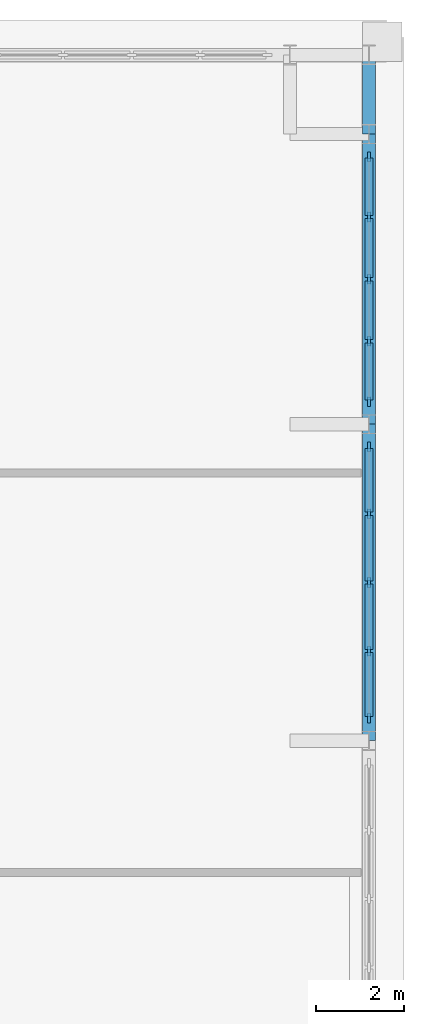
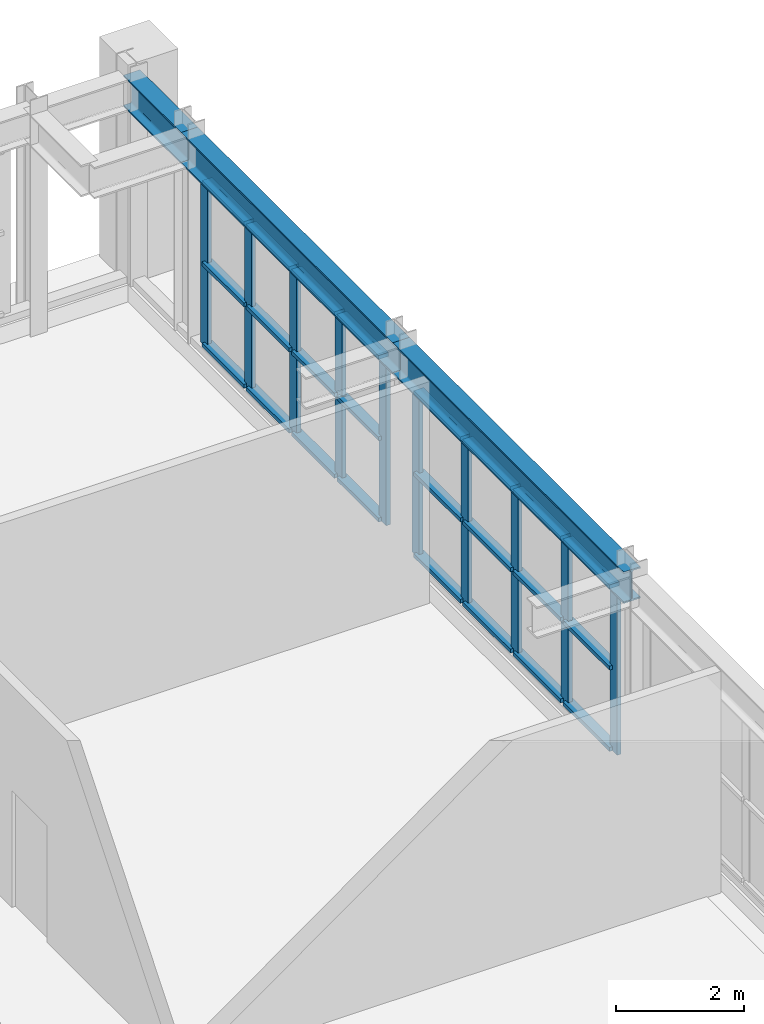
# One storey, part 7 of 18: 34 members, 3 beams, 2 elements without a shape of their own.
"""IFC4 building model written with IfcOpenShell, lengths in metres."""

from ifc_helpers import new_model, si_unit, direction, frame, origin, origin_2d, place, context, subcontext, project, spatial, rectangle, i_section, extrude, material, material_profile, profile_set, type_object, element, aggregate, save


model = new_model("IFC4")

# Units and contexts
model_context = context("Model", 3, precision=1e-05, world=origin(), true_north=direction((0.0, 1.0)))
body_context = subcontext(model_context, "Body", "Model", "MODEL_VIEW")
ifc_project = project(units=[si_unit("LENGTHUNIT", "METRE"), si_unit("AREAUNIT", "SQUARE_METRE"), si_unit("VOLUMEUNIT", "CUBIC_METRE"), si_unit("PLANEANGLEUNIT", "RADIAN"), si_unit("MASSUNIT", "GRAM", prefix="KILO")], contexts=[model_context])

# Site, building, storey
site_placement = place(None, origin())
site = spatial("IfcSite", under=ifc_project, at=site_placement, CompositionType="ELEMENT")
building_placement = place(site_placement, origin())
building = spatial("IfcBuilding", under=site, at=building_placement, Name="Mithqara Police Headquarters", CompositionType="ELEMENT")
storey_placement = place(building_placement, frame((0.0, 0.0, 26.39990234375)))
storey = spatial("IfcBuildingStorey", under=building, at=storey_placement, Name="L06", CompositionType="ELEMENT", Elevation=26.39990234375)

# Curtain wall, members
ifc_material_1 = material(Name="Bronze anodised aluminium 6063-T6", Category="aluminium")
curtain_wall_type_1 = type_object("IfcCurtainWallType", Name="CURTAIN WALL 6250X3170", PredefinedType="USERDEFINED", material=ifc_material_1)
curtain_wall_1_placement = place(storey_placement, origin())
curtain_wall_1 = element("IfcCurtainWall", 1, at=curtain_wall_1_placement, inside=storey, type_object=curtain_wall_type_1, Name="L06 Unitised Glazing CW-04 (CW-CUBE-L06-P0-E02-S0-03)", ObjectType="UNITISED GLAZING", PredefinedType="USERDEFINED")
ifc_material_profile_1 = material_profile(ifc_material_1, rectangle(XDim=0.074951171875, YDim=0.219970703125, at=origin_2d()), Name="CWM 75x220")
ifc_profile_set_1 = profile_set([ifc_material_profile_1], Name="Bronze anodised aluminium 6063-T6")
member_type_1 = type_object("IfcMemberType", Name="CWMULLION 75X220", PredefinedType="MULLION", material=ifc_profile_set_1)
member_1_placement = place(storey_placement, frame((168.0, 100.71240234375, 0.4501953125), z_axis=(0.0, 0.0, 1.0), x_axis=(-1.0, 0.0, 0.0)))
member_1 = element("IfcMember", 2, at=member_1_placement, type_object=member_type_1, Name="CW-04 mullion 1", PredefinedType="MULLION", context=body_context, shape_type="SweptSolid", body=[
    extrude(rectangle(XDim=0.074951171875, YDim=0.219970703125, at=origin_2d()), origin(), (0.0, 0.0, 1.0), 3.169921875),
])
member_2_placement = place(storey_placement, frame((168.0, 102.237548828125, 0.4501953125), z_axis=(0.0, 0.0, 1.0), x_axis=(-1.0, 0.0, 0.0)))
member_2 = element("IfcMember", 3, at=member_2_placement, type_object=member_type_1, Name="CW-04 mullion 2", PredefinedType="MULLION", context=body_context, shape_type="SweptSolid", body=[
    extrude(rectangle(XDim=0.074951171875, YDim=0.219970703125, at=origin_2d()), origin(), (0.0, 0.0, 1.0), 3.169921875),
])
member_3_placement = place(storey_placement, frame((168.0, 103.800048828125, 0.4501953125), z_axis=(0.0, 0.0, 1.0), x_axis=(-1.0, 0.0, 0.0)))
member_3 = element("IfcMember", 4, at=member_3_placement, type_object=member_type_1, Name="CW-04 mullion 3", PredefinedType="MULLION", context=body_context, shape_type="SweptSolid", body=[
    extrude(rectangle(XDim=0.074951171875, YDim=0.219970703125, at=origin_2d()), origin(), (0.0, 0.0, 1.0), 3.169921875),
])
member_4_placement = place(storey_placement, frame((168.0, 105.362548828125, 0.4501953125), z_axis=(0.0, 0.0, 1.0), x_axis=(-1.0, 0.0, 0.0)))
member_4 = element("IfcMember", 5, at=member_4_placement, type_object=member_type_1, Name="CW-04 mullion 4", PredefinedType="MULLION", context=body_context, shape_type="SweptSolid", body=[
    extrude(rectangle(XDim=0.074951171875, YDim=0.219970703125, at=origin_2d()), origin(), (0.0, 0.0, 1.0), 3.169921875),
])
member_5_placement = place(storey_placement, frame((168.0, 106.887451171875, 0.4501953125), z_axis=(0.0, 0.0, 1.0), x_axis=(-1.0, 0.0, 0.0)))
member_5 = element("IfcMember", 6, at=member_5_placement, type_object=member_type_1, Name="CW-04 mullion 5", PredefinedType="MULLION", context=body_context, shape_type="SweptSolid", body=[
    extrude(rectangle(XDim=0.074951171875, YDim=0.219970703125, at=origin_2d()), origin(), (0.0, 0.0, 1.0), 3.169921875),
])

curtain_wall_type_2 = type_object("IfcCurtainWallType", Name="CURTAIN WALL 5650X3170", PredefinedType="USERDEFINED", material=ifc_material_1)
curtain_wall_2_placement = place(storey_placement, origin())
curtain_wall_2 = element("IfcCurtainWall", 7, at=curtain_wall_2_placement, inside=storey, type_object=curtain_wall_type_2, Name="L06 Unitised Glazing CW-05 (CW-CUBE-L06-P0-E02-S0-04)", ObjectType="UNITISED GLAZING", PredefinedType="USERDEFINED")
member_6_placement = place(storey_placement, frame((168.0, 107.91259765625, 0.4501953125), z_axis=(0.0, 0.0, 1.0), x_axis=(-1.0, 0.0, 0.0)))
member_6 = element("IfcMember", 8, at=member_6_placement, type_object=member_type_1, Name="CW-05 mullion 1", PredefinedType="MULLION", context=body_context, shape_type="SweptSolid", body=[
    extrude(rectangle(XDim=0.074951171875, YDim=0.219970703125, at=origin_2d()), origin(), (0.0, 0.0, 1.0), 3.169921875),
])
member_7_placement = place(storey_placement, frame((168.0, 109.28759765625, 0.4501953125), z_axis=(0.0, 0.0, 1.0), x_axis=(-1.0, 0.0, 0.0)))
member_7 = element("IfcMember", 9, at=member_7_placement, type_object=member_type_1, Name="CW-05 mullion 2", PredefinedType="MULLION", context=body_context, shape_type="SweptSolid", body=[
    extrude(rectangle(XDim=0.074951171875, YDim=0.219970703125, at=origin_2d()), origin(), (0.0, 0.0, 1.0), 3.169921875),
])
member_8_placement = place(storey_placement, frame((168.0, 110.699951171875, 0.4501953125), z_axis=(0.0, 0.0, 1.0), x_axis=(-1.0, 0.0, 0.0)))
member_8 = element("IfcMember", 10, at=member_8_placement, type_object=member_type_1, Name="CW-05 mullion 3", PredefinedType="MULLION", context=body_context, shape_type="SweptSolid", body=[
    extrude(rectangle(XDim=0.074951171875, YDim=0.219970703125, at=origin_2d()), origin(), (0.0, 0.0, 1.0), 3.169921875),
])
member_9_placement = place(storey_placement, frame((168.0, 112.112548828125, 0.4501953125), z_axis=(0.0, 0.0, 1.0), x_axis=(-1.0, 0.0, 0.0)))
member_9 = element("IfcMember", 11, at=member_9_placement, type_object=member_type_1, Name="CW-05 mullion 4", PredefinedType="MULLION", context=body_context, shape_type="SweptSolid", body=[
    extrude(rectangle(XDim=0.074951171875, YDim=0.219970703125, at=origin_2d()), origin(), (0.0, 0.0, 1.0), 3.169921875),
])
member_10_placement = place(storey_placement, frame((168.0, 113.487548828125, 0.4501953125), z_axis=(0.0, 0.0, 1.0), x_axis=(-1.0, 0.0, 0.0)))
member_10 = element("IfcMember", 12, at=member_10_placement, type_object=member_type_1, Name="CW-05 mullion 5", PredefinedType="MULLION", context=body_context, shape_type="SweptSolid", body=[
    extrude(rectangle(XDim=0.074951171875, YDim=0.219970703125, at=origin_2d()), origin(), (0.0, 0.0, 1.0), 3.169921875),
])

# Member
ifc_material_profile_2 = material_profile(ifc_material_1, rectangle(XDim=0.179931640625, YDim=0.074951171875, at=origin_2d()), Name="CWT 180x75")
ifc_profile_set_2 = profile_set([ifc_material_profile_2], Name="Bronze anodised aluminium 6063-T6")
member_type_2 = type_object("IfcMemberType", Name="CWTRANSOM 180X75", PredefinedType="USERDEFINED", material=ifc_profile_set_2)
member_11_placement = place(storey_placement, frame((168.0, 100.75, 0.487548828125), z_axis=(0.0, 1.0, 0.0), x_axis=(-1.0, 0.0, 0.0)))
member_11 = element("IfcMember", 13, at=member_11_placement, type_object=member_type_2, Name="CW-04 transom 1.1", ObjectType="TRANSOM", PredefinedType="USERDEFINED", context=body_context, shape_type="SweptSolid", body=[
    extrude(rectangle(XDim=0.179931640625, YDim=0.074951171875, at=origin_2d()), origin(), (0.0, 0.0, 1.0), 1.449951171875),
])

member_12_placement = place(storey_placement, frame((168.0, 100.75, 2.03515625), z_axis=(0.0, 1.0, 0.0), x_axis=(-1.0, 0.0, 0.0)))
member_12 = element("IfcMember", 14, at=member_12_placement, type_object=member_type_2, Name="CW-04 transom 1.2", ObjectType="TRANSOM", PredefinedType="USERDEFINED", context=body_context, shape_type="SweptSolid", body=[
    extrude(rectangle(XDim=0.179931640625, YDim=0.074951171875, at=origin_2d()), origin(), (0.0, 0.0, 1.0), 1.449951171875),
])

member_13_placement = place(storey_placement, frame((168.0, 100.75, 3.58251953125), z_axis=(0.0, 1.0, 0.0), x_axis=(-1.0, 0.0, 0.0)))
member_13 = element("IfcMember", 15, at=member_13_placement, type_object=member_type_2, Name="CW-04 transom 1.3", ObjectType="TRANSOM", PredefinedType="USERDEFINED", context=body_context, shape_type="SweptSolid", body=[
    extrude(rectangle(XDim=0.179931640625, YDim=0.074951171875, at=origin_2d()), origin(), (0.0, 0.0, 1.0), 1.449951171875),
])

member_14_placement = place(storey_placement, frame((168.0, 102.27490234375, 0.487548828125), z_axis=(0.0, 1.0, 0.0), x_axis=(-1.0, 0.0, 0.0)))
member_14 = element("IfcMember", 16, at=member_14_placement, type_object=member_type_2, Name="CW-04 transom 2.1", ObjectType="TRANSOM", PredefinedType="USERDEFINED", context=body_context, shape_type="SweptSolid", body=[
    extrude(rectangle(XDim=0.179931640625, YDim=0.074951171875, at=origin_2d()), origin(), (0.0, 0.0, 1.0), 1.487548828125),
])

member_15_placement = place(storey_placement, frame((168.0, 102.27490234375, 2.03515625), z_axis=(0.0, 1.0, 0.0), x_axis=(-1.0, 0.0, 0.0)))
member_15 = element("IfcMember", 17, at=member_15_placement, type_object=member_type_2, Name="CW-04 transom 2.2", ObjectType="TRANSOM", PredefinedType="USERDEFINED", context=body_context, shape_type="SweptSolid", body=[
    extrude(rectangle(XDim=0.179931640625, YDim=0.074951171875, at=origin_2d()), origin(), (0.0, 0.0, 1.0), 1.487548828125),
])

member_16_placement = place(storey_placement, frame((168.0, 102.27490234375, 3.58251953125), z_axis=(0.0, 1.0, 0.0), x_axis=(-1.0, 0.0, 0.0)))
member_16 = element("IfcMember", 18, at=member_16_placement, type_object=member_type_2, Name="CW-04 transom 2.3", ObjectType="TRANSOM", PredefinedType="USERDEFINED", context=body_context, shape_type="SweptSolid", body=[
    extrude(rectangle(XDim=0.179931640625, YDim=0.074951171875, at=origin_2d()), origin(), (0.0, 0.0, 1.0), 1.487548828125),
])

member_17_placement = place(storey_placement, frame((168.0, 103.83740234375, 0.487548828125), z_axis=(0.0, 1.0, 0.0), x_axis=(-1.0, 0.0, 0.0)))
member_17 = element("IfcMember", 19, at=member_17_placement, type_object=member_type_2, Name="CW-04 transom 3.1", ObjectType="TRANSOM", PredefinedType="USERDEFINED", context=body_context, shape_type="SweptSolid", body=[
    extrude(rectangle(XDim=0.179931640625, YDim=0.074951171875, at=origin_2d()), origin(), (0.0, 0.0, 1.0), 1.487548828125),
])

member_18_placement = place(storey_placement, frame((168.0, 103.83740234375, 2.03515625), z_axis=(0.0, 1.0, 0.0), x_axis=(-1.0, 0.0, 0.0)))
member_18 = element("IfcMember", 20, at=member_18_placement, type_object=member_type_2, Name="CW-04 transom 3.2", ObjectType="TRANSOM", PredefinedType="USERDEFINED", context=body_context, shape_type="SweptSolid", body=[
    extrude(rectangle(XDim=0.179931640625, YDim=0.074951171875, at=origin_2d()), origin(), (0.0, 0.0, 1.0), 1.487548828125),
])

member_19_placement = place(storey_placement, frame((168.0, 103.83740234375, 3.58251953125), z_axis=(0.0, 1.0, 0.0), x_axis=(-1.0, 0.0, 0.0)))
member_19 = element("IfcMember", 21, at=member_19_placement, type_object=member_type_2, Name="CW-04 transom 3.3", ObjectType="TRANSOM", PredefinedType="USERDEFINED", context=body_context, shape_type="SweptSolid", body=[
    extrude(rectangle(XDim=0.179931640625, YDim=0.074951171875, at=origin_2d()), origin(), (0.0, 0.0, 1.0), 1.487548828125),
])

member_20_placement = place(storey_placement, frame((168.0, 105.39990234375, 0.487548828125), z_axis=(0.0, 1.0, 0.0), x_axis=(-1.0, 0.0, 0.0)))
member_20 = element("IfcMember", 22, at=member_20_placement, type_object=member_type_2, Name="CW-04 transom 4.1", ObjectType="TRANSOM", PredefinedType="USERDEFINED", context=body_context, shape_type="SweptSolid", body=[
    extrude(rectangle(XDim=0.179931640625, YDim=0.074951171875, at=origin_2d()), origin(), (0.0, 0.0, 1.0), 1.4501953125),
])

member_21_placement = place(storey_placement, frame((168.0, 105.39990234375, 2.03515625), z_axis=(0.0, 1.0, 0.0), x_axis=(-1.0, 0.0, 0.0)))
member_21 = element("IfcMember", 23, at=member_21_placement, type_object=member_type_2, Name="CW-04 transom 4.2", ObjectType="TRANSOM", PredefinedType="USERDEFINED", context=body_context, shape_type="SweptSolid", body=[
    extrude(rectangle(XDim=0.179931640625, YDim=0.074951171875, at=origin_2d()), origin(), (0.0, 0.0, 1.0), 1.4501953125),
])

member_22_placement = place(storey_placement, frame((168.0, 105.39990234375, 3.58251953125), z_axis=(0.0, 1.0, 0.0), x_axis=(-1.0, 0.0, 0.0)))
member_22 = element("IfcMember", 24, at=member_22_placement, type_object=member_type_2, Name="CW-04 transom 4.3", ObjectType="TRANSOM", PredefinedType="USERDEFINED", context=body_context, shape_type="SweptSolid", body=[
    extrude(rectangle(XDim=0.179931640625, YDim=0.074951171875, at=origin_2d()), origin(), (0.0, 0.0, 1.0), 1.4501953125),
])

aggregate(curtain_wall_1, [member_1, member_2, member_3, member_4, member_5, member_11, member_12, member_13, member_14, member_15, member_16, member_17, member_18, member_19, member_20, member_21, member_22])

member_23_placement = place(storey_placement, frame((168.0, 107.949951171875, 0.487548828125), z_axis=(0.0, 1.0, 0.0), x_axis=(-1.0, 0.0, 0.0)))
member_23 = element("IfcMember", 25, at=member_23_placement, type_object=member_type_2, Name="CW-05 transom 1.1", ObjectType="TRANSOM", PredefinedType="USERDEFINED", context=body_context, shape_type="SweptSolid", body=[
    extrude(rectangle(XDim=0.179931640625, YDim=0.074951171875, at=origin_2d()), origin(), (0.0, 0.0, 1.0), 1.300048828125),
])

member_24_placement = place(storey_placement, frame((168.0, 107.949951171875, 2.03515625), z_axis=(0.0, 1.0, 0.0), x_axis=(-1.0, 0.0, 0.0)))
member_24 = element("IfcMember", 26, at=member_24_placement, type_object=member_type_2, Name="CW-05 transom 1.2", ObjectType="TRANSOM", PredefinedType="USERDEFINED", context=body_context, shape_type="SweptSolid", body=[
    extrude(rectangle(XDim=0.179931640625, YDim=0.074951171875, at=origin_2d()), origin(), (0.0, 0.0, 1.0), 1.300048828125),
])

member_25_placement = place(storey_placement, frame((168.0, 107.949951171875, 3.58251953125), z_axis=(0.0, 1.0, 0.0), x_axis=(-1.0, 0.0, 0.0)))
member_25 = element("IfcMember", 27, at=member_25_placement, type_object=member_type_2, Name="CW-05 transom 1.3", ObjectType="TRANSOM", PredefinedType="USERDEFINED", context=body_context, shape_type="SweptSolid", body=[
    extrude(rectangle(XDim=0.179931640625, YDim=0.074951171875, at=origin_2d()), origin(), (0.0, 0.0, 1.0), 1.300048828125),
])

member_26_placement = place(storey_placement, frame((168.0, 109.324951171875, 0.487548828125), z_axis=(0.0, 1.0, 0.0), x_axis=(-1.0, 0.0, 0.0)))
member_26 = element("IfcMember", 28, at=member_26_placement, type_object=member_type_2, Name="CW-05 transom 2.1", ObjectType="TRANSOM", PredefinedType="USERDEFINED", context=body_context, shape_type="SweptSolid", body=[
    extrude(rectangle(XDim=0.179931640625, YDim=0.074951171875, at=origin_2d()), origin(), (0.0, 0.0, 1.0), 1.337646484375),
])

member_27_placement = place(storey_placement, frame((168.0, 109.324951171875, 2.03515625), z_axis=(0.0, 1.0, 0.0), x_axis=(-1.0, 0.0, 0.0)))
member_27 = element("IfcMember", 29, at=member_27_placement, type_object=member_type_2, Name="CW-05 transom 2.2", ObjectType="TRANSOM", PredefinedType="USERDEFINED", context=body_context, shape_type="SweptSolid", body=[
    extrude(rectangle(XDim=0.179931640625, YDim=0.074951171875, at=origin_2d()), origin(), (0.0, 0.0, 1.0), 1.337646484375),
])

member_28_placement = place(storey_placement, frame((168.0, 109.324951171875, 3.58251953125), z_axis=(0.0, 1.0, 0.0), x_axis=(-1.0, 0.0, 0.0)))
member_28 = element("IfcMember", 30, at=member_28_placement, type_object=member_type_2, Name="CW-05 transom 2.3", ObjectType="TRANSOM", PredefinedType="USERDEFINED", context=body_context, shape_type="SweptSolid", body=[
    extrude(rectangle(XDim=0.179931640625, YDim=0.074951171875, at=origin_2d()), origin(), (0.0, 0.0, 1.0), 1.337646484375),
])

member_29_placement = place(storey_placement, frame((168.0, 110.737548828125, 0.487548828125), z_axis=(0.0, 1.0, 0.0), x_axis=(-1.0, 0.0, 0.0)))
member_29 = element("IfcMember", 31, at=member_29_placement, type_object=member_type_2, Name="CW-05 transom 3.1", ObjectType="TRANSOM", PredefinedType="USERDEFINED", context=body_context, shape_type="SweptSolid", body=[
    extrude(rectangle(XDim=0.179931640625, YDim=0.074951171875, at=origin_2d()), origin(), (0.0, 0.0, 1.0), 1.33740234375),
])

member_30_placement = place(storey_placement, frame((168.0, 110.737548828125, 2.03515625), z_axis=(0.0, 1.0, 0.0), x_axis=(-1.0, 0.0, 0.0)))
member_30 = element("IfcMember", 32, at=member_30_placement, type_object=member_type_2, Name="CW-05 transom 3.2", ObjectType="TRANSOM", PredefinedType="USERDEFINED", context=body_context, shape_type="SweptSolid", body=[
    extrude(rectangle(XDim=0.179931640625, YDim=0.074951171875, at=origin_2d()), origin(), (0.0, 0.0, 1.0), 1.33740234375),
])

member_31_placement = place(storey_placement, frame((168.0, 110.737548828125, 3.58251953125), z_axis=(0.0, 1.0, 0.0), x_axis=(-1.0, 0.0, 0.0)))
member_31 = element("IfcMember", 33, at=member_31_placement, type_object=member_type_2, Name="CW-05 transom 3.3", ObjectType="TRANSOM", PredefinedType="USERDEFINED", context=body_context, shape_type="SweptSolid", body=[
    extrude(rectangle(XDim=0.179931640625, YDim=0.074951171875, at=origin_2d()), origin(), (0.0, 0.0, 1.0), 1.33740234375),
])

member_32_placement = place(storey_placement, frame((168.0, 112.14990234375, 0.487548828125), z_axis=(0.0, 1.0, 0.0), x_axis=(-1.0, 0.0, 0.0)))
member_32 = element("IfcMember", 34, at=member_32_placement, type_object=member_type_2, Name="CW-05 transom 4.1", ObjectType="TRANSOM", PredefinedType="USERDEFINED", context=body_context, shape_type="SweptSolid", body=[
    extrude(rectangle(XDim=0.179931640625, YDim=0.074951171875, at=origin_2d()), origin(), (0.0, 0.0, 1.0), 1.300048828125),
])

member_33_placement = place(storey_placement, frame((168.0, 112.14990234375, 2.03515625), z_axis=(0.0, 1.0, 0.0), x_axis=(-1.0, 0.0, 0.0)))
member_33 = element("IfcMember", 35, at=member_33_placement, type_object=member_type_2, Name="CW-05 transom 4.2", ObjectType="TRANSOM", PredefinedType="USERDEFINED", context=body_context, shape_type="SweptSolid", body=[
    extrude(rectangle(XDim=0.179931640625, YDim=0.074951171875, at=origin_2d()), origin(), (0.0, 0.0, 1.0), 1.300048828125),
])

member_34_placement = place(storey_placement, frame((168.0, 112.14990234375, 3.58251953125), z_axis=(0.0, 1.0, 0.0), x_axis=(-1.0, 0.0, 0.0)))
member_34 = element("IfcMember", 36, at=member_34_placement, type_object=member_type_2, Name="CW-05 transom 4.3", ObjectType="TRANSOM", PredefinedType="USERDEFINED", context=body_context, shape_type="SweptSolid", body=[
    extrude(rectangle(XDim=0.179931640625, YDim=0.074951171875, at=origin_2d()), origin(), (0.0, 0.0, 1.0), 1.300048828125),
])

aggregate(curtain_wall_2, [member_6, member_7, member_8, member_9, member_10, member_23, member_24, member_25, member_26, member_27, member_28, member_29, member_30, member_31, member_32, member_33, member_34])

# Beams
ifc_material_2 = material(Name="Steel S355JR", Category="steel")
ifc_material_profile_3 = material_profile(ifc_material_2, i_section(OverallWidth=0.300048828125, OverallDepth=0.60009765625, WebThickness=0.015380859375, FlangeThickness=0.030029296875, FilletRadius=0.027099609375, at=origin_2d()), Name="HEB 600")
ifc_profile_set_3 = profile_set([ifc_material_profile_3], Name="Steel S355JR")
beam_type = type_object("IfcBeamType", Name="TRANSFER HEB600", PredefinedType="BEAM", material=ifc_profile_set_3)
beam_1_placement = place(storey_placement, frame((168.0, 100.199951171875, 3.920166015625), z_axis=(0.0, 1.0, 0.0), x_axis=(-1.0, 0.0, 0.0)))
element("IfcBeam", 37, at=beam_1_placement, inside=storey, type_object=beam_type, Name="L06 Command Cube East Ring Beam 4", PredefinedType="BEAM", context=body_context, shape_type="SweptSolid", body=[
    extrude(i_section(OverallWidth=0.300048828125, OverallDepth=0.60009765625, WebThickness=0.015380859375, FlangeThickness=0.030029296875, FilletRadius=0.027099609375, at=origin_2d()), origin(), (0.0, 0.0, 1.0), 7.199951171875),
])
beam_2_placement = place(storey_placement, frame((168.0, 107.39990234375, 3.920166015625), z_axis=(0.0, 1.0, 0.0), x_axis=(-1.0, 0.0, 0.0)))
element("IfcBeam", 38, at=beam_2_placement, inside=storey, type_object=beam_type, Name="L06 Command Cube East Ring Beam 5", PredefinedType="BEAM", context=body_context, shape_type="SweptSolid", body=[
    extrude(i_section(OverallWidth=0.300048828125, OverallDepth=0.60009765625, WebThickness=0.015380859375, FlangeThickness=0.030029296875, FilletRadius=0.027099609375, at=origin_2d()), origin(), (0.0, 0.0, 1.0), 6.60009765625),
])
beam_3_placement = place(storey_placement, frame((168.0, 114.0, 3.920166015625), z_axis=(0.0, 1.0, 0.0), x_axis=(-1.0, 0.0, 0.0)))
element("IfcBeam", 39, at=beam_3_placement, inside=storey, type_object=beam_type, Name="L06 Command Cube East Ring Beam 6", PredefinedType="BEAM", context=body_context, shape_type="SweptSolid", body=[
    extrude(i_section(OverallWidth=0.300048828125, OverallDepth=0.60009765625, WebThickness=0.015380859375, FlangeThickness=0.030029296875, FilletRadius=0.027099609375, at=origin_2d()), origin(), (0.0, 0.0, 1.0), 1.800048828125),
])

save(model, "model.ifc")
